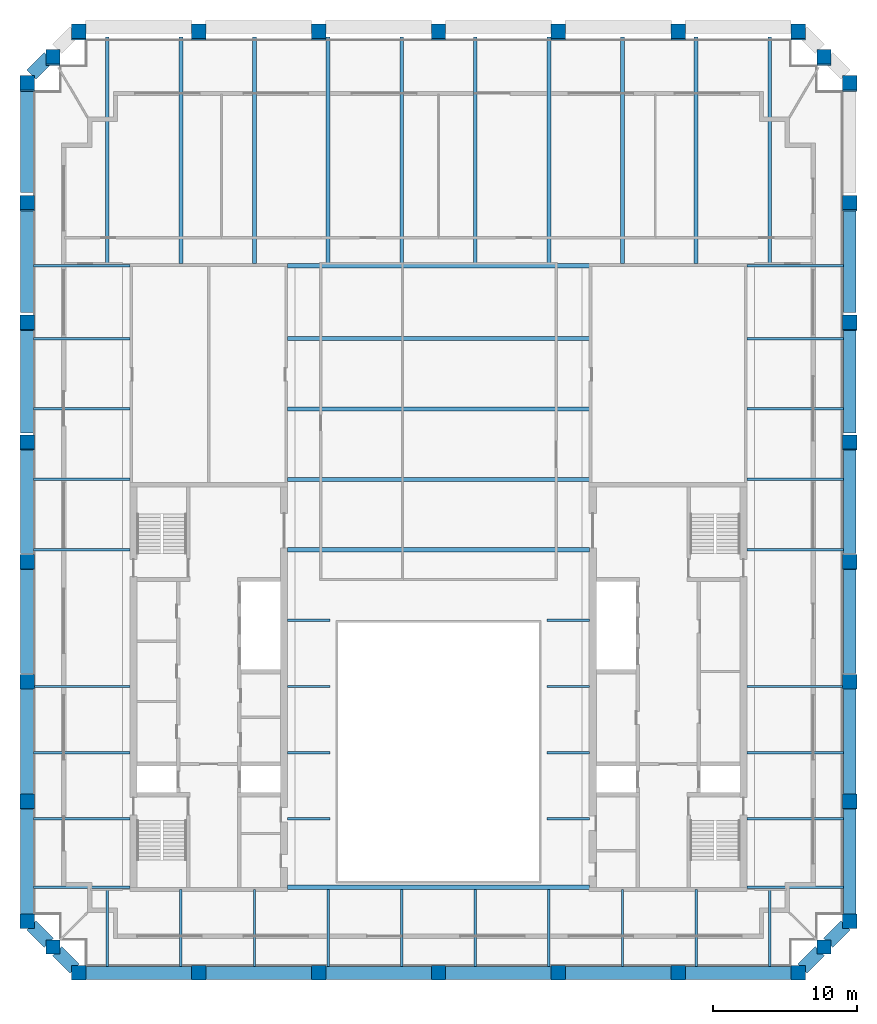
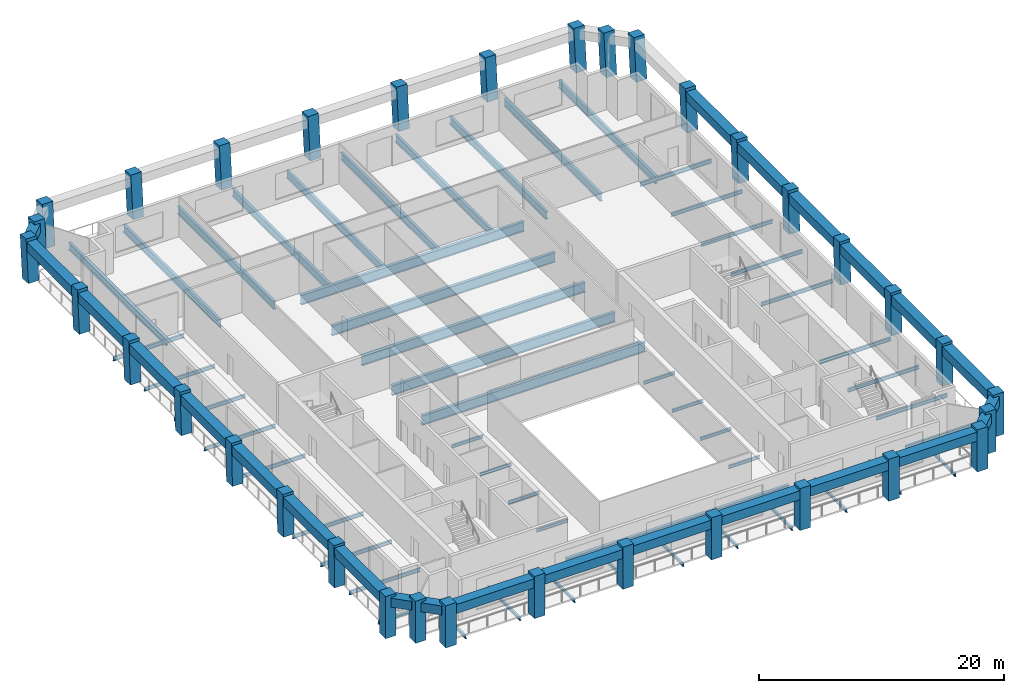
# One storey, part 1 of 7: 76 beams, 34 columns.
"""IFC4 building model written with IfcOpenShell, lengths in metres."""

from ifc_helpers import new_model, si_unit, direction, frame, origin, origin_2d, place, context, subcontext, project, spatial, rectangle, i_section, extrude, material, material_profile, profile_set, type_object, element, save


model = new_model("IFC4")

# Units and contexts
model_context = context("Model", 3, precision=1e-05, world=origin(), true_north=direction((0.0, 1.0)))
body_context = subcontext(model_context, "Body", "Model", "MODEL_VIEW")
ifc_project = project(units=[si_unit("LENGTHUNIT", "METRE"), si_unit("AREAUNIT", "SQUARE_METRE"), si_unit("VOLUMEUNIT", "CUBIC_METRE"), si_unit("PLANEANGLEUNIT", "RADIAN"), si_unit("MASSUNIT", "GRAM", prefix="KILO")], contexts=[model_context])

# Site, building, storey
site_placement = place(None, origin())
site = spatial("IfcSite", under=ifc_project, at=site_placement, CompositionType="ELEMENT")
building_placement = place(site_placement, origin())
building = spatial("IfcBuilding", under=site, at=building_placement, Name="Ogive Exchange Tower", CompositionType="ELEMENT")
storey_placement = place(building_placement, frame((0.0, 0.0, 321.60009765625)))
storey = spatial("IfcBuildingStorey", under=building, at=storey_placement, Name="L70", CompositionType="ELEMENT", Elevation=321.60009765625)

# Columns
ifc_material_1 = material(Name="Precast concrete C70/85 (limestone faced)", Category="masonry")
ifc_material_profile_1 = material_profile(ifc_material_1, rectangle(XDim=1.0, YDim=1.0, at=origin_2d()), Name="1000 x 1000")
ifc_profile_set_1 = profile_set([ifc_material_profile_1], Name="Precast concrete C70/85 (limestone faced)")
column_type = type_object("IfcColumnType", Name="Precast exoskeleton leg 1000 x 1000 C70/85", PredefinedType="COLUMN", material=ifc_profile_set_1)
for number, where, z_axis, x_axis, name in (
    (1, (-25.050048828125, -8.39990234375, 0.0), (0.0, 0.0, 1.0), (1.0, 0.0, 0.0), "Exoskeleton leg 1"),
    (2, (-16.699951171875, -8.39990234375, 0.0), (0.0, 0.0, 1.0), (1.0, 0.0, 0.0), "Exoskeleton leg 2"),
    (3, (-8.35009765625, -8.39990234375, 0.0), (0.0, 0.0, 1.0), (1.0, 0.0, 0.0), "Exoskeleton leg 3"),
    (4, (0.0, -8.39990234375, 0.0), (0.0, 0.0, 1.0), (1.0, 0.0, 0.0), "Exoskeleton leg 4"),
    (5, (8.35009765625, -8.39990234375, 0.0), (0.0, 0.0, 1.0), (1.0, 0.0, 0.0), "Exoskeleton leg 5"),
    (6, (16.699951171875, -8.39990234375, 0.0), (0.0, 0.0, 1.0), (1.0, 0.0, 0.0), "Exoskeleton leg 6"),
    (7, (25.050048828125, -8.39990234375, 0.0), (0.0, 0.0, 1.0), (1.0, 0.0, 0.0), "Exoskeleton leg 7"),
    (8, (28.64990234375, -4.800048828125, 0.0), (0.0, 0.0, 1.0), (1.0, 0.0, 0.0), "Exoskeleton leg 8"),
):
    element("IfcColumn", number, at=place(storey_placement, frame(where, z_axis=z_axis, x_axis=x_axis)), inside=storey, type_object=column_type, Name=name, PredefinedType="COLUMN", context=body_context, shape_type="SweptSolid", body=[
        extrude(rectangle(XDim=1.0, YDim=1.0, at=origin_2d()), origin(), (0.0, 0.0, 1.0), 4.199951171875),
    ])
column_1_placement = place(storey_placement, frame((28.64990234375, 3.52734375, 0.0), z_axis=(0.0, 0.012961766342, 0.999915992778), x_axis=(-1.0, 0.0, 0.0)))
element("IfcColumn", 9, at=column_1_placement, inside=storey, type_object=column_type, Name="Exoskeleton leg 9", PredefinedType="COLUMN", context=body_context, shape_type="SweptSolid", body=[
    extrude(rectangle(XDim=1.0, YDim=1.0, at=origin_2d()), origin(), (0.0, 0.0, 1.0), 4.2001953125),
])
column_2_placement = place(storey_placement, frame((28.64990234375, 11.8544921875, 0.0), z_axis=(0.0, 0.025975072843, 0.999662590873), x_axis=(-1.0, 0.0, 0.0)))
element("IfcColumn", 10, at=column_2_placement, inside=storey, type_object=column_type, Name="Exoskeleton leg 10", PredefinedType="COLUMN", context=body_context, shape_type="SweptSolid", body=[
    extrude(rectangle(XDim=1.0, YDim=1.0, at=origin_2d()), origin(), (0.0, 0.0, 1.0), 4.201416015625),
])
column_3_placement = place(storey_placement, frame((28.64990234375, 20.181884765625, 0.0), z_axis=(0.0, 0.038917190853, 0.999242439179), x_axis=(-1.0, 0.0, 0.0)))
element("IfcColumn", 11, at=column_3_placement, inside=storey, type_object=column_type, Name="Exoskeleton leg 11", PredefinedType="COLUMN", context=body_context, shape_type="SweptSolid", body=[
    extrude(rectangle(XDim=1.0, YDim=1.0, at=origin_2d()), origin(), (0.0, 0.0, 1.0), 4.203125),
])
column_4_placement = place(storey_placement, frame((28.64990234375, 28.509033203125, 0.0), z_axis=(0.0, 0.051897648879, 0.99865240902), x_axis=(-1.0, 0.0, 0.0)))
element("IfcColumn", 12, at=column_4_placement, inside=storey, type_object=column_type, Name="Exoskeleton leg 12", PredefinedType="COLUMN", context=body_context, shape_type="SweptSolid", body=[
    extrude(rectangle(XDim=1.0, YDim=1.0, at=origin_2d()), origin(), (0.0, 0.0, 1.0), 4.20556640625),
])
column_5_placement = place(storey_placement, frame((28.64990234375, 36.83642578125, 0.0), z_axis=(0.0, 0.064794093908, 0.997898654872), x_axis=(-1.0, 0.0, 0.0)))
element("IfcColumn", 13, at=column_5_placement, inside=storey, type_object=column_type, Name="Exoskeleton leg 13", PredefinedType="COLUMN", context=body_context, shape_type="SweptSolid", body=[
    extrude(rectangle(XDim=1.0, YDim=1.0, at=origin_2d()), origin(), (0.0, 0.0, 1.0), 4.208740234375),
])
column_6_placement = place(storey_placement, frame((28.64990234375, 45.16357421875, 0.0), z_axis=(0.0, 0.07771576013, 0.996975556685), x_axis=(-1.0, 0.0, 0.0)))
element("IfcColumn", 14, at=column_6_placement, inside=storey, type_object=column_type, Name="Exoskeleton leg 14", PredefinedType="COLUMN", context=body_context, shape_type="SweptSolid", body=[
    extrude(rectangle(XDim=1.0, YDim=1.0, at=origin_2d()), origin(), (0.0, 0.0, 1.0), 4.212646484375),
])
for number, where, z_axis, x_axis, name in (
    (15, (28.64990234375, 53.490966796875, 0.0), (0.0, 0.090540965689, 0.995892731941), (-1.0, 0.0, 0.0), "Exoskeleton leg 15"),
    (16, (25.050048828125, 57.0908203125, 0.0), (0.0, 0.090540965689, 0.995892731941), (-1.0, 0.0, 0.0), "Exoskeleton leg 16"),
    (17, (16.699951171875, 57.0908203125, 0.0), (0.0, 0.090540965689, 0.995892731941), (-1.0, 0.0, 0.0), "Exoskeleton leg 17"),
    (18, (8.35009765625, 57.0908203125, 0.0), (0.0, 0.090540965689, 0.995892731941), (-1.0, 0.0, 0.0), "Exoskeleton leg 18"),
    (19, (0.0, 57.0908203125, 0.0), (0.0, 0.090540965689, 0.995892731941), (-1.0, 0.0, 0.0), "Exoskeleton leg 19"),
    (20, (-8.35009765625, 57.0908203125, 0.0), (0.0, 0.090540965689, 0.995892731941), (-1.0, 0.0, 0.0), "Exoskeleton leg 20"),
    (21, (-16.699951171875, 57.0908203125, 0.0), (0.0, 0.090540965689, 0.995892731941), (-1.0, 0.0, 0.0), "Exoskeleton leg 21"),
    (22, (-25.050048828125, 57.0908203125, 0.0), (0.0, 0.090540965689, 0.995892731941), (-1.0, 0.0, 0.0), "Exoskeleton leg 22"),
    (23, (-28.64990234375, 53.490966796875, 0.0), (0.0, 0.090540965689, 0.995892731941), (-1.0, 0.0, 0.0), "Exoskeleton leg 23"),
):
    element("IfcColumn", number, at=place(storey_placement, frame(where, z_axis=z_axis, x_axis=x_axis)), inside=storey, type_object=column_type, Name=name, PredefinedType="COLUMN", context=body_context, shape_type="SweptSolid", body=[
        extrude(rectangle(XDim=1.0, YDim=1.0, at=origin_2d()), origin(), (0.0, 0.0, 1.0), 4.21728515625),
    ])
column_7_placement = place(storey_placement, frame((-28.64990234375, 45.16357421875, 0.0), z_axis=(0.0, 0.07771576013, 0.996975556685), x_axis=(-1.0, 0.0, 0.0)))
element("IfcColumn", 24, at=column_7_placement, inside=storey, type_object=column_type, Name="Exoskeleton leg 24", PredefinedType="COLUMN", context=body_context, shape_type="SweptSolid", body=[
    extrude(rectangle(XDim=1.0, YDim=1.0, at=origin_2d()), origin(), (0.0, 0.0, 1.0), 4.212646484375),
])
column_8_placement = place(storey_placement, frame((-28.64990234375, 36.83642578125, 0.0), z_axis=(0.0, 0.064794093908, 0.997898654872), x_axis=(-1.0, 0.0, 0.0)))
element("IfcColumn", 25, at=column_8_placement, inside=storey, type_object=column_type, Name="Exoskeleton leg 25", PredefinedType="COLUMN", context=body_context, shape_type="SweptSolid", body=[
    extrude(rectangle(XDim=1.0, YDim=1.0, at=origin_2d()), origin(), (0.0, 0.0, 1.0), 4.208740234375),
])
column_9_placement = place(storey_placement, frame((-28.64990234375, 28.509033203125, 0.0), z_axis=(0.0, 0.051897648879, 0.99865240902), x_axis=(-1.0, 0.0, 0.0)))
element("IfcColumn", 26, at=column_9_placement, inside=storey, type_object=column_type, Name="Exoskeleton leg 26", PredefinedType="COLUMN", context=body_context, shape_type="SweptSolid", body=[
    extrude(rectangle(XDim=1.0, YDim=1.0, at=origin_2d()), origin(), (0.0, 0.0, 1.0), 4.20556640625),
])
column_10_placement = place(storey_placement, frame((-28.64990234375, 20.181884765625, 0.0), z_axis=(0.0, 0.038917190853, 0.999242439179), x_axis=(-1.0, 0.0, 0.0)))
element("IfcColumn", 27, at=column_10_placement, inside=storey, type_object=column_type, Name="Exoskeleton leg 27", PredefinedType="COLUMN", context=body_context, shape_type="SweptSolid", body=[
    extrude(rectangle(XDim=1.0, YDim=1.0, at=origin_2d()), origin(), (0.0, 0.0, 1.0), 4.203125),
])
column_11_placement = place(storey_placement, frame((-28.64990234375, 11.8544921875, 0.0), z_axis=(0.0, 0.025975072843, 0.999662590873), x_axis=(-1.0, 0.0, 0.0)))
element("IfcColumn", 28, at=column_11_placement, inside=storey, type_object=column_type, Name="Exoskeleton leg 28", PredefinedType="COLUMN", context=body_context, shape_type="SweptSolid", body=[
    extrude(rectangle(XDim=1.0, YDim=1.0, at=origin_2d()), origin(), (0.0, 0.0, 1.0), 4.201416015625),
])
column_12_placement = place(storey_placement, frame((-28.64990234375, 3.52734375, 0.0), z_axis=(0.0, 0.012961766342, 0.999915992778), x_axis=(-1.0, 0.0, 0.0)))
element("IfcColumn", 29, at=column_12_placement, inside=storey, type_object=column_type, Name="Exoskeleton leg 29", PredefinedType="COLUMN", context=body_context, shape_type="SweptSolid", body=[
    extrude(rectangle(XDim=1.0, YDim=1.0, at=origin_2d()), origin(), (0.0, 0.0, 1.0), 4.2001953125),
])
for number, where, z_axis, x_axis, name in (
    (30, (-28.64990234375, -4.800048828125, 0.0), (0.0, 0.0, 1.0), (1.0, 0.0, 0.0), "Exoskeleton leg 30"),
    (31, (26.85009765625, -6.60009765625, 0.0), (0.0, 0.0, 1.0), (1.0, 0.0, 0.0), "Exoskeleton leg 31"),
):
    element("IfcColumn", number, at=place(storey_placement, frame(where, z_axis=z_axis, x_axis=x_axis)), inside=storey, type_object=column_type, Name=name, PredefinedType="COLUMN", context=body_context, shape_type="SweptSolid", body=[
        extrude(rectangle(XDim=1.0, YDim=1.0, at=origin_2d()), origin(), (0.0, 0.0, 1.0), 4.199951171875),
    ])
for number, where, z_axis, x_axis, name in (
    (32, (26.85009765625, 55.291015625, 0.0), (0.0, 0.090483549163, 0.995897950259), (-1.0, 0.0, 0.0), "Exoskeleton leg 32"),
    (33, (-26.85009765625, 55.291015625, 0.0), (0.0, 0.090483549163, 0.995897950259), (-1.0, 0.0, 0.0), "Exoskeleton leg 33"),
):
    element("IfcColumn", number, at=place(storey_placement, frame(where, z_axis=z_axis, x_axis=x_axis)), inside=storey, type_object=column_type, Name=name, PredefinedType="COLUMN", context=body_context, shape_type="SweptSolid", body=[
        extrude(rectangle(XDim=1.0, YDim=1.0, at=origin_2d()), origin(), (0.0, 0.0, 1.0), 4.21728515625),
    ])
column_13_placement = place(storey_placement, frame((-26.85009765625, -6.60009765625, 0.0), z_axis=(0.0, 0.0, 1.0), x_axis=(1.0, 0.0, 0.0)))
element("IfcColumn", 34, at=column_13_placement, inside=storey, type_object=column_type, Name="Exoskeleton leg 34", PredefinedType="COLUMN", context=body_context, shape_type="SweptSolid", body=[
    extrude(rectangle(XDim=1.0, YDim=1.0, at=origin_2d()), origin(), (0.0, 0.0, 1.0), 4.199951171875),
])

# Beams
ifc_material_2 = material(Name="Steel ASTM A992 Gr50", Category="steel")
ifc_material_profile_2 = material_profile(ifc_material_2, i_section(OverallWidth=0.300048828125, OverallDepth=0.97998046875, WebThickness=0.0166015625, FlangeThickness=0.026123046875, at=origin_2d()), Name="W1000x249")
ifc_profile_set_2 = profile_set([ifc_material_profile_2], Name="Steel ASTM A992 Gr50")
beam_type_1 = type_object("IfcBeamType", Name="Floor beam W1000x249", PredefinedType="JOIST", material=ifc_profile_set_2)
for number, where, z_axis, x_axis, name in (
    (35, (-10.52001953125, 21.06201171875, -0.690185546875), (1.0, 0.0, 0.0), (0.0, 1.0, 0.0), "Floor beam"),
    (36, (-10.52001953125, 25.968994140625, -0.690185546875), (1.0, 0.0, 0.0), (0.0, 1.0, 0.0), "Floor beam"),
    (37, (-10.52001953125, 30.8759765625, -0.690185546875), (1.0, 0.0, 0.0), (0.0, 1.0, 0.0), "Floor beam"),
    (38, (-10.52001953125, 35.782958984375, -0.690185546875), (1.0, 0.0, 0.0), (0.0, 1.0, 0.0), "Floor beam"),
):
    element("IfcBeam", number, at=place(storey_placement, frame(where, z_axis=z_axis, x_axis=x_axis)), inside=storey, type_object=beam_type_1, Name=name, PredefinedType="JOIST", context=body_context, shape_type="SweptSolid", body=[
        extrude(i_section(OverallWidth=0.300048828125, OverallDepth=0.97998046875, WebThickness=0.0166015625, FlangeThickness=0.026123046875, at=origin_2d()), origin(), (0.0, 0.0, 1.0), 21.0400390625),
    ])
ifc_material_profile_3 = material_profile(ifc_material_2, i_section(OverallWidth=0.1650390625, OverallDepth=0.31005859375, WebThickness=0.005859375, FlangeThickness=0.009765625, at=origin_2d()), Name="W310x38.7")
ifc_profile_set_3 = profile_set([ifc_material_profile_3], Name="Steel ASTM A992 Gr50")
beam_type_2 = type_object("IfcBeamType", Name="Floor beam W310x38.7", PredefinedType="JOIST", material=ifc_profile_set_3)
for number, where, z_axis, x_axis, name in (
    (39, (-10.52001953125, 2.3212890625, -0.35498046875), (1.0, 0.0, 0.0), (0.0, 1.0, 0.0), "Floor beam"),
    (40, (7.570068359375, 2.3212890625, -0.35498046875), (1.0, 0.0, 0.0), (0.0, 1.0, 0.0), "Floor beam"),
    (41, (-10.52001953125, 6.9326171875, -0.35498046875), (1.0, 0.0, 0.0), (0.0, 1.0, 0.0), "Floor beam"),
    (42, (7.570068359375, 6.9326171875, -0.35498046875), (1.0, 0.0, 0.0), (0.0, 1.0, 0.0), "Floor beam"),
    (43, (-10.52001953125, 11.543701171875, -0.35498046875), (1.0, 0.0, 0.0), (0.0, 1.0, 0.0), "Floor beam"),
    (44, (7.570068359375, 11.543701171875, -0.35498046875), (1.0, 0.0, 0.0), (0.0, 1.0, 0.0), "Floor beam"),
):
    element("IfcBeam", number, at=place(storey_placement, frame(where, z_axis=z_axis, x_axis=x_axis)), inside=storey, type_object=beam_type_2, Name=name, PredefinedType="JOIST", context=body_context, shape_type="SweptSolid", body=[
        extrude(i_section(OverallWidth=0.1650390625, OverallDepth=0.31005859375, WebThickness=0.005859375, FlangeThickness=0.009765625, at=origin_2d()), origin(), (0.0, 0.0, 1.0), 2.949951171875),
    ])
beam_1_placement = place(storey_placement, frame((-23.07275390625, -7.949951171875, -0.35498046875), z_axis=(0.0, 1.0, 0.0), x_axis=(-1.0, 0.0, 0.0)))
element("IfcBeam", 45, at=beam_1_placement, inside=storey, type_object=beam_type_2, Name="Floor beam", PredefinedType="JOIST", context=body_context, shape_type="SweptSolid", body=[
    extrude(i_section(OverallWidth=0.1650390625, OverallDepth=0.31005859375, WebThickness=0.005859375, FlangeThickness=0.009765625, at=origin_2d()), origin(), (0.0, 0.0, 1.0), 5.416015625),
])
for number, where, z_axis, x_axis, name in (
    (46, (-17.945556640625, -7.949951171875, -0.35498046875), (0.0, 1.0, 0.0), (-1.0, 0.0, 0.0), "Floor beam"),
    (47, (-12.818115234375, -7.949951171875, -0.35498046875), (0.0, 1.0, 0.0), (-1.0, 0.0, 0.0), "Floor beam"),
):
    element("IfcBeam", number, at=place(storey_placement, frame(where, z_axis=z_axis, x_axis=x_axis)), inside=storey, type_object=beam_type_2, Name=name, PredefinedType="JOIST", context=body_context, shape_type="SweptSolid", body=[
        extrude(i_section(OverallWidth=0.1650390625, OverallDepth=0.31005859375, WebThickness=0.005859375, FlangeThickness=0.009765625, at=origin_2d()), origin(), (0.0, 0.0, 1.0), 5.349853515625),
    ])
for number, where, z_axis, x_axis, name in (
    (48, (-7.69091796875, -7.949951171875, -0.35498046875), (0.0, 1.0, 0.0), (-1.0, 0.0, 0.0), "Floor beam"),
    (49, (-2.563720703125, -7.949951171875, -0.35498046875), (0.0, 1.0, 0.0), (-1.0, 0.0, 0.0), "Floor beam"),
    (50, (2.563720703125, -7.949951171875, -0.35498046875), (0.0, 1.0, 0.0), (-1.0, 0.0, 0.0), "Floor beam"),
    (51, (7.69091796875, -7.949951171875, -0.35498046875), (0.0, 1.0, 0.0), (-1.0, 0.0, 0.0), "Floor beam"),
):
    element("IfcBeam", number, at=place(storey_placement, frame(where, z_axis=z_axis, x_axis=x_axis)), inside=storey, type_object=beam_type_2, Name=name, PredefinedType="JOIST", context=body_context, shape_type="SweptSolid", body=[
        extrude(i_section(OverallWidth=0.1650390625, OverallDepth=0.31005859375, WebThickness=0.005859375, FlangeThickness=0.009765625, at=origin_2d()), origin(), (0.0, 0.0, 1.0), 5.35498046875),
    ])
for number, where, z_axis, x_axis, name in (
    (52, (12.818115234375, -7.949951171875, -0.35498046875), (0.0, 1.0, 0.0), (-1.0, 0.0, 0.0), "Floor beam"),
    (53, (17.945556640625, -7.949951171875, -0.35498046875), (0.0, 1.0, 0.0), (-1.0, 0.0, 0.0), "Floor beam"),
):
    element("IfcBeam", number, at=place(storey_placement, frame(where, z_axis=z_axis, x_axis=x_axis)), inside=storey, type_object=beam_type_2, Name=name, PredefinedType="JOIST", context=body_context, shape_type="SweptSolid", body=[
        extrude(i_section(OverallWidth=0.1650390625, OverallDepth=0.31005859375, WebThickness=0.005859375, FlangeThickness=0.009765625, at=origin_2d()), origin(), (0.0, 0.0, 1.0), 5.349853515625),
    ])
beam_2_placement = place(storey_placement, frame((23.07275390625, -7.949951171875, -0.35498046875), z_axis=(0.0, 1.0, 0.0), x_axis=(-1.0, 0.0, 0.0)))
element("IfcBeam", 54, at=beam_2_placement, inside=storey, type_object=beam_type_2, Name="Floor beam", PredefinedType="JOIST", context=body_context, shape_type="SweptSolid", body=[
    extrude(i_section(OverallWidth=0.1650390625, OverallDepth=0.31005859375, WebThickness=0.005859375, FlangeThickness=0.009765625, at=origin_2d()), origin(), (0.0, 0.0, 1.0), 5.416015625),
])
ifc_material_profile_4 = material_profile(ifc_material_2, i_section(OverallWidth=0.1708984375, OverallDepth=0.35595703125, WebThickness=0.00732421875, FlangeThickness=0.01171875, at=origin_2d()), Name="W360x51")
ifc_profile_set_4 = profile_set([ifc_material_profile_4], Name="Steel ASTM A992 Gr50")
beam_type_3 = type_object("IfcBeamType", Name="Floor beam W360x51", PredefinedType="JOIST", material=ifc_profile_set_4)
for number, where, z_axis, x_axis, name in (
    (55, (-28.199951171875, 2.3212890625, -0.378173828125), (1.0, 0.0, 0.0), (0.0, 1.0, 0.0), "Floor beam"),
    (56, (21.47998046875, 2.3212890625, -0.378173828125), (1.0, 0.0, 0.0), (0.0, 1.0, 0.0), "Floor beam"),
    (57, (-28.199951171875, 6.9326171875, -0.378173828125), (1.0, 0.0, 0.0), (0.0, 1.0, 0.0), "Floor beam"),
    (58, (21.47998046875, 6.9326171875, -0.378173828125), (1.0, 0.0, 0.0), (0.0, 1.0, 0.0), "Floor beam"),
    (59, (-28.199951171875, 11.543701171875, -0.378173828125), (1.0, 0.0, 0.0), (0.0, 1.0, 0.0), "Floor beam"),
    (60, (21.47998046875, 11.543701171875, -0.378173828125), (1.0, 0.0, 0.0), (0.0, 1.0, 0.0), "Floor beam"),
    (61, (-28.199951171875, 21.06201171875, -0.378173828125), (1.0, 0.0, 0.0), (0.0, 1.0, 0.0), "Floor beam"),
    (62, (21.47998046875, 21.06201171875, -0.378173828125), (1.0, 0.0, 0.0), (0.0, 1.0, 0.0), "Floor beam"),
    (63, (-28.199951171875, 25.968994140625, -0.378173828125), (1.0, 0.0, 0.0), (0.0, 1.0, 0.0), "Floor beam"),
    (64, (21.47998046875, 25.968994140625, -0.378173828125), (1.0, 0.0, 0.0), (0.0, 1.0, 0.0), "Floor beam"),
    (65, (-28.199951171875, 30.8759765625, -0.378173828125), (1.0, 0.0, 0.0), (0.0, 1.0, 0.0), "Floor beam"),
    (66, (21.47998046875, 30.8759765625, -0.378173828125), (1.0, 0.0, 0.0), (0.0, 1.0, 0.0), "Floor beam"),
    (67, (-28.199951171875, 35.782958984375, -0.378173828125), (1.0, 0.0, 0.0), (0.0, 1.0, 0.0), "Floor beam"),
    (68, (21.47998046875, 35.782958984375, -0.378173828125), (1.0, 0.0, 0.0), (0.0, 1.0, 0.0), "Floor beam"),
):
    element("IfcBeam", number, at=place(storey_placement, frame(where, z_axis=z_axis, x_axis=x_axis)), inside=storey, type_object=beam_type_3, Name=name, PredefinedType="JOIST", context=body_context, shape_type="SweptSolid", body=[
        extrude(i_section(OverallWidth=0.1708984375, OverallDepth=0.35595703125, WebThickness=0.00732421875, FlangeThickness=0.01171875, at=origin_2d()), origin(), (0.0, 0.0, 1.0), 6.719970703125),
    ])
ifc_material_profile_5 = material_profile(ifc_material_2, i_section(OverallWidth=0.26708984375, OverallDepth=0.75390625, WebThickness=0.01318359375, FlangeThickness=0.01708984375, at=origin_2d()), Name="W760x147")
ifc_profile_set_5 = profile_set([ifc_material_profile_5], Name="Steel ASTM A992 Gr50")
beam_type_4 = type_object("IfcBeamType", Name="Floor beam W760x147", PredefinedType="JOIST", material=ifc_profile_set_5)
beam_3_placement = place(storey_placement, frame((-23.07275390625, 40.93408203125, -0.5771484375), z_axis=(0.0, 1.0, 0.0), x_axis=(-1.0, 0.0, 0.0)))
element("IfcBeam", 69, at=beam_3_placement, inside=storey, type_object=beam_type_4, Name="Floor beam", PredefinedType="JOIST", context=body_context, shape_type="SweptSolid", body=[
    extrude(i_section(OverallWidth=0.26708984375, OverallDepth=0.75390625, WebThickness=0.01318359375, FlangeThickness=0.01708984375, at=origin_2d()), origin(), (0.0, 0.0, 1.0), 15.85693359375),
])
for number, where, z_axis, x_axis, name in (
    (70, (-17.945556640625, 41.0, -0.5771484375), (0.0, 1.0, 0.0), (-1.0, 0.0, 0.0), "Floor beam"),
    (71, (-12.818115234375, 41.0, -0.5771484375), (0.0, 1.0, 0.0), (-1.0, 0.0, 0.0), "Floor beam"),
):
    element("IfcBeam", number, at=place(storey_placement, frame(where, z_axis=z_axis, x_axis=x_axis)), inside=storey, type_object=beam_type_4, Name=name, PredefinedType="JOIST", context=body_context, shape_type="SweptSolid", body=[
        extrude(i_section(OverallWidth=0.26708984375, OverallDepth=0.75390625, WebThickness=0.01318359375, FlangeThickness=0.01708984375, at=origin_2d()), origin(), (0.0, 0.0, 1.0), 15.791015625),
    ])
for number, where, z_axis, x_axis, name in (
    (72, (-7.69091796875, 40.9951171875, -0.5771484375), (0.0, 1.0, 0.0), (-1.0, 0.0, 0.0), "Floor beam"),
    (73, (-2.563720703125, 40.9951171875, -0.5771484375), (0.0, 1.0, 0.0), (-1.0, 0.0, 0.0), "Floor beam"),
    (74, (2.563720703125, 40.9951171875, -0.5771484375), (0.0, 1.0, 0.0), (-1.0, 0.0, 0.0), "Floor beam"),
    (75, (7.69091796875, 40.9951171875, -0.5771484375), (0.0, 1.0, 0.0), (-1.0, 0.0, 0.0), "Floor beam"),
):
    element("IfcBeam", number, at=place(storey_placement, frame(where, z_axis=z_axis, x_axis=x_axis)), inside=storey, type_object=beam_type_4, Name=name, PredefinedType="JOIST", context=body_context, shape_type="SweptSolid", body=[
        extrude(i_section(OverallWidth=0.26708984375, OverallDepth=0.75390625, WebThickness=0.01318359375, FlangeThickness=0.01708984375, at=origin_2d()), origin(), (0.0, 0.0, 1.0), 15.7958984375),
    ])
for number, where, z_axis, x_axis, name in (
    (76, (12.818115234375, 41.0, -0.5771484375), (0.0, 1.0, 0.0), (-1.0, 0.0, 0.0), "Floor beam"),
    (77, (17.945556640625, 41.0, -0.5771484375), (0.0, 1.0, 0.0), (-1.0, 0.0, 0.0), "Floor beam"),
):
    element("IfcBeam", number, at=place(storey_placement, frame(where, z_axis=z_axis, x_axis=x_axis)), inside=storey, type_object=beam_type_4, Name=name, PredefinedType="JOIST", context=body_context, shape_type="SweptSolid", body=[
        extrude(i_section(OverallWidth=0.26708984375, OverallDepth=0.75390625, WebThickness=0.01318359375, FlangeThickness=0.01708984375, at=origin_2d()), origin(), (0.0, 0.0, 1.0), 15.791015625),
    ])
beam_4_placement = place(storey_placement, frame((23.07275390625, 40.93408203125, -0.5771484375), z_axis=(0.0, 1.0, 0.0), x_axis=(-1.0, 0.0, 0.0)))
element("IfcBeam", 78, at=beam_4_placement, inside=storey, type_object=beam_type_4, Name="Floor beam", PredefinedType="JOIST", context=body_context, shape_type="SweptSolid", body=[
    extrude(i_section(OverallWidth=0.26708984375, OverallDepth=0.75390625, WebThickness=0.01318359375, FlangeThickness=0.01708984375, at=origin_2d()), origin(), (0.0, 0.0, 1.0), 15.85693359375),
])
ifc_material_profile_6 = material_profile(ifc_material_2, i_section(OverallWidth=0.300048828125, OverallDepth=0.97998046875, WebThickness=0.0166015625, FlangeThickness=0.026123046875, at=origin_2d()), Name="W1000x249")
ifc_profile_set_6 = profile_set([ifc_material_profile_6], Name="Steel ASTM A992 Gr50")
beam_type_5 = type_object("IfcBeamType", Name="Girder W1000x249", PredefinedType="BEAM", material=ifc_profile_set_6)
for number, where, z_axis, x_axis, name in (
    (79, (-10.52001953125, -2.445068359375, -0.690185546875), (1.0, 0.0, 0.0), (0.0, 1.0, 0.0), "Header girder"),
    (80, (-10.52001953125, 40.844970703125, -0.690185546875), (1.0, 0.0, 0.0), (0.0, 1.0, 0.0), "Header girder"),
):
    element("IfcBeam", number, at=place(storey_placement, frame(where, z_axis=z_axis, x_axis=x_axis)), inside=storey, type_object=beam_type_5, Name=name, PredefinedType="BEAM", context=body_context, shape_type="SweptSolid", body=[
        extrude(i_section(OverallWidth=0.300048828125, OverallDepth=0.97998046875, WebThickness=0.0166015625, FlangeThickness=0.026123046875, at=origin_2d()), origin(), (0.0, 0.0, 1.0), 21.0400390625),
    ])
ifc_material_profile_7 = material_profile(ifc_material_2, i_section(OverallWidth=0.1650390625, OverallDepth=0.31005859375, WebThickness=0.005859375, FlangeThickness=0.009765625, at=origin_2d()), Name="W310x38.7")
ifc_profile_set_7 = profile_set([ifc_material_profile_7], Name="Steel ASTM A992 Gr50")
beam_type_6 = type_object("IfcBeamType", Name="Girder W310x38.7", PredefinedType="BEAM", material=ifc_profile_set_7)
for number, where, z_axis, x_axis, name in (
    (81, (-10.52001953125, 16.155029296875, -0.35498046875), (1.0, 0.0, 0.0), (0.0, 1.0, 0.0), "Trimmer girder"),
    (82, (7.570068359375, 16.155029296875, -0.35498046875), (1.0, 0.0, 0.0), (0.0, 1.0, 0.0), "Trimmer girder"),
):
    element("IfcBeam", number, at=place(storey_placement, frame(where, z_axis=z_axis, x_axis=x_axis)), inside=storey, type_object=beam_type_6, Name=name, PredefinedType="BEAM", context=body_context, shape_type="SweptSolid", body=[
        extrude(i_section(OverallWidth=0.1650390625, OverallDepth=0.31005859375, WebThickness=0.005859375, FlangeThickness=0.009765625, at=origin_2d()), origin(), (0.0, 0.0, 1.0), 2.949951171875),
    ])
ifc_material_profile_8 = material_profile(ifc_material_2, i_section(OverallWidth=0.177978515625, OverallDepth=0.406005859375, WebThickness=0.0078125, FlangeThickness=0.0126953125, at=origin_2d()), Name="W410x60")
ifc_profile_set_8 = profile_set([ifc_material_profile_8], Name="Steel ASTM A992 Gr50")
beam_type_7 = type_object("IfcBeamType", Name="Girder W410x60", PredefinedType="BEAM", material=ifc_profile_set_8)
for number, where, z_axis, x_axis, name in (
    (83, (-28.199951171875, -2.445068359375, -0.403076171875), (1.0, 0.0, 0.0), (0.0, 1.0, 0.0), "Header girder"),
    (84, (21.47998046875, -2.445068359375, -0.403076171875), (1.0, 0.0, 0.0), (0.0, 1.0, 0.0), "Header girder"),
    (85, (-28.199951171875, 40.844970703125, -0.403076171875), (1.0, 0.0, 0.0), (0.0, 1.0, 0.0), "Header girder"),
    (86, (21.47998046875, 40.844970703125, -0.403076171875), (1.0, 0.0, 0.0), (0.0, 1.0, 0.0), "Header girder"),
):
    element("IfcBeam", number, at=place(storey_placement, frame(where, z_axis=z_axis, x_axis=x_axis)), inside=storey, type_object=beam_type_7, Name=name, PredefinedType="BEAM", context=body_context, shape_type="SweptSolid", body=[
        extrude(i_section(OverallWidth=0.177978515625, OverallDepth=0.406005859375, WebThickness=0.0078125, FlangeThickness=0.0126953125, at=origin_2d()), origin(), (0.0, 0.0, 1.0), 6.719970703125),
    ])
ifc_material_profile_9 = material_profile(ifc_material_1, rectangle(XDim=0.89990234375, YDim=0.89990234375, at=origin_2d()), Name="900 x 900")
ifc_profile_set_9 = profile_set([ifc_material_profile_9], Name="Precast concrete C70/85 (limestone faced)")
beam_type_8 = type_object("IfcBeamType", Name="Precast spandrel 900 x 900 C70/85", PredefinedType="SPANDREL", material=ifc_profile_set_9)
beam_5_placement = place(storey_placement, frame((-24.570068359375, -8.39990234375, 3.5), z_axis=(1.0, 0.0, 0.0), x_axis=(0.0, 1.0, 0.0)))
element("IfcBeam", 87, at=beam_5_placement, inside=storey, type_object=beam_type_8, Name="Spandrel 1", PredefinedType="SPANDREL", context=body_context, shape_type="SweptSolid", body=[
    extrude(rectangle(XDim=0.89990234375, YDim=0.89990234375, at=origin_2d()), origin(), (0.0, 0.0, 1.0), 7.39013671875),
])
beam_6_placement = place(storey_placement, frame((-16.219970703125, -8.39990234375, 3.5), z_axis=(1.0, 0.0, 0.0), x_axis=(0.0, 1.0, 0.0)))
element("IfcBeam", 88, at=beam_6_placement, inside=storey, type_object=beam_type_8, Name="Spandrel 2", PredefinedType="SPANDREL", context=body_context, shape_type="SweptSolid", body=[
    extrude(rectangle(XDim=0.89990234375, YDim=0.89990234375, at=origin_2d()), origin(), (0.0, 0.0, 1.0), 7.389892578125),
])
for number, where, z_axis, x_axis, name in (
    (89, (-7.8701171875, -8.39990234375, 3.5), (1.0, 0.0, 0.0), (0.0, 1.0, 0.0), "Spandrel 3"),
    (90, (0.47998046875, -8.39990234375, 3.5), (1.0, 0.0, 0.0), (0.0, 1.0, 0.0), "Spandrel 4"),
):
    element("IfcBeam", number, at=place(storey_placement, frame(where, z_axis=z_axis, x_axis=x_axis)), inside=storey, type_object=beam_type_8, Name=name, PredefinedType="SPANDREL", context=body_context, shape_type="SweptSolid", body=[
        extrude(rectangle(XDim=0.89990234375, YDim=0.89990234375, at=origin_2d()), origin(), (0.0, 0.0, 1.0), 7.39013671875),
    ])
beam_7_placement = place(storey_placement, frame((8.830078125, -8.39990234375, 3.5), z_axis=(1.0, 0.0, 0.0), x_axis=(0.0, 1.0, 0.0)))
element("IfcBeam", 91, at=beam_7_placement, inside=storey, type_object=beam_type_8, Name="Spandrel 5", PredefinedType="SPANDREL", context=body_context, shape_type="SweptSolid", body=[
    extrude(rectangle(XDim=0.89990234375, YDim=0.89990234375, at=origin_2d()), origin(), (0.0, 0.0, 1.0), 7.389892578125),
])
beam_8_placement = place(storey_placement, frame((17.179931640625, -8.39990234375, 3.5), z_axis=(1.0, 0.0, 0.0), x_axis=(0.0, 1.0, 0.0)))
element("IfcBeam", 92, at=beam_8_placement, inside=storey, type_object=beam_type_8, Name="Spandrel 6", PredefinedType="SPANDREL", context=body_context, shape_type="SweptSolid", body=[
    extrude(rectangle(XDim=0.89990234375, YDim=0.89990234375, at=origin_2d()), origin(), (0.0, 0.0, 1.0), 7.39013671875),
])
for number, where, z_axis, x_axis, name in (
    (93, (25.337890625, -8.112060546875, 3.5), (0.707106781187, 0.707106781187, 0.0), (-0.707106781187, 0.707106781187, 0.0), "Spandrel 7"),
    (94, (27.137939453125, -6.31201171875, 3.5), (0.707106781187, 0.707106781187, 0.0), (-0.707106781187, 0.707106781187, 0.0), "Spandrel 8"),
):
    element("IfcBeam", number, at=place(storey_placement, frame(where, z_axis=z_axis, x_axis=x_axis)), inside=storey, type_object=beam_type_8, Name=name, PredefinedType="SPANDREL", context=body_context, shape_type="SweptSolid", body=[
        extrude(rectangle(XDim=0.89990234375, YDim=0.89990234375, at=origin_2d()), origin(), (0.0, 0.0, 1.0), 1.731201171875),
    ])
for number, where, z_axis, x_axis, name in (
    (95, (28.64990234375, -4.320068359375, 3.5), (0.0, 1.0, 0.0), (-1.0, 0.0, 0.0), "Spandrel 9"),
    (96, (28.64990234375, 4.061767578125, 3.5), (0.0, 1.0, 0.0), (-1.0, 0.0, 0.0), "Spandrel 10"),
    (97, (28.64990234375, 12.443603515625, 3.5), (0.0, 1.0, 0.0), (-1.0, 0.0, 0.0), "Spandrel 11"),
    (98, (28.64990234375, 20.825439453125, 3.5), (0.0, 1.0, 0.0), (-1.0, 0.0, 0.0), "Spandrel 12"),
    (99, (28.64990234375, 29.207275390625, 3.5), (0.0, 1.0, 0.0), (-1.0, 0.0, 0.0), "Spandrel 13"),
    (100, (28.64990234375, 37.589111328125, 3.5), (0.0, 1.0, 0.0), (-1.0, 0.0, 0.0), "Spandrel 14"),
):
    element("IfcBeam", number, at=place(storey_placement, frame(where, z_axis=z_axis, x_axis=x_axis)), inside=storey, type_object=beam_type_8, Name=name, PredefinedType="SPANDREL", context=body_context, shape_type="SweptSolid", body=[
        extrude(rectangle(XDim=0.89990234375, YDim=0.89990234375, at=origin_2d()), origin(), (0.0, 0.0, 1.0), 7.421875),
    ])
beam_9_placement = place(storey_placement, frame((-27.137939453125, 55.385009765625, 3.5), z_axis=(-0.707036271462, -0.707177283881, 0.0), x_axis=(0.707177283881, -0.707036271462, 0.0)))
element("IfcBeam", 101, at=beam_9_placement, inside=storey, type_object=beam_type_8, Name="Spandrel 25", PredefinedType="SPANDREL", context=body_context, shape_type="SweptSolid", body=[
    extrude(rectangle(XDim=0.89990234375, YDim=0.89990234375, at=origin_2d()), origin(), (0.0, 0.0, 1.0), 1.7314453125),
])
beam_10_placement = place(storey_placement, frame((-28.64990234375, 53.392578125, 3.5), z_axis=(0.0, -1.0, 0.0), x_axis=(1.0, 0.0, 0.0)))
element("IfcBeam", 102, at=beam_10_placement, inside=storey, type_object=beam_type_8, Name="Spandrel 26", PredefinedType="SPANDREL", context=body_context, shape_type="SweptSolid", body=[
    extrude(rectangle(XDim=0.89990234375, YDim=0.89990234375, at=origin_2d()), origin(), (0.0, 0.0, 1.0), 7.421630859375),
])
for number, where, z_axis, x_axis, name in (
    (103, (-28.64990234375, 45.010986328125, 3.5), (0.0, -1.0, 0.0), (1.0, 0.0, 0.0), "Spandrel 27"),
    (104, (-28.64990234375, 36.629150390625, 3.5), (0.0, -1.0, 0.0), (1.0, 0.0, 0.0), "Spandrel 28"),
    (105, (-28.64990234375, 28.247314453125, 3.5), (0.0, -1.0, 0.0), (1.0, 0.0, 0.0), "Spandrel 29"),
    (106, (-28.64990234375, 19.865478515625, 3.5), (0.0, -1.0, 0.0), (1.0, 0.0, 0.0), "Spandrel 30"),
    (107, (-28.64990234375, 11.483642578125, 3.5), (0.0, -1.0, 0.0), (1.0, 0.0, 0.0), "Spandrel 31"),
    (108, (-28.64990234375, 3.101806640625, 3.5), (0.0, -1.0, 0.0), (1.0, 0.0, 0.0), "Spandrel 32"),
):
    element("IfcBeam", number, at=place(storey_placement, frame(where, z_axis=z_axis, x_axis=x_axis)), inside=storey, type_object=beam_type_8, Name=name, PredefinedType="SPANDREL", context=body_context, shape_type="SweptSolid", body=[
        extrude(rectangle(XDim=0.89990234375, YDim=0.89990234375, at=origin_2d()), origin(), (0.0, 0.0, 1.0), 7.421875),
    ])
for number, where, z_axis, x_axis, name in (
    (109, (-28.362060546875, -5.087890625, 3.5), (0.707106781187, -0.707106781187, 0.0), (0.707106781187, 0.707106781187, 0.0), "Spandrel 33"),
    (110, (-26.56201171875, -6.887939453125, 3.5), (0.707106781187, -0.707106781187, 0.0), (0.707106781187, 0.707106781187, 0.0), "Spandrel 34"),
):
    element("IfcBeam", number, at=place(storey_placement, frame(where, z_axis=z_axis, x_axis=x_axis)), inside=storey, type_object=beam_type_8, Name=name, PredefinedType="SPANDREL", context=body_context, shape_type="SweptSolid", body=[
        extrude(rectangle(XDim=0.89990234375, YDim=0.89990234375, at=origin_2d()), origin(), (0.0, 0.0, 1.0), 1.731201171875),
    ])

save(model, "model.ifc")
